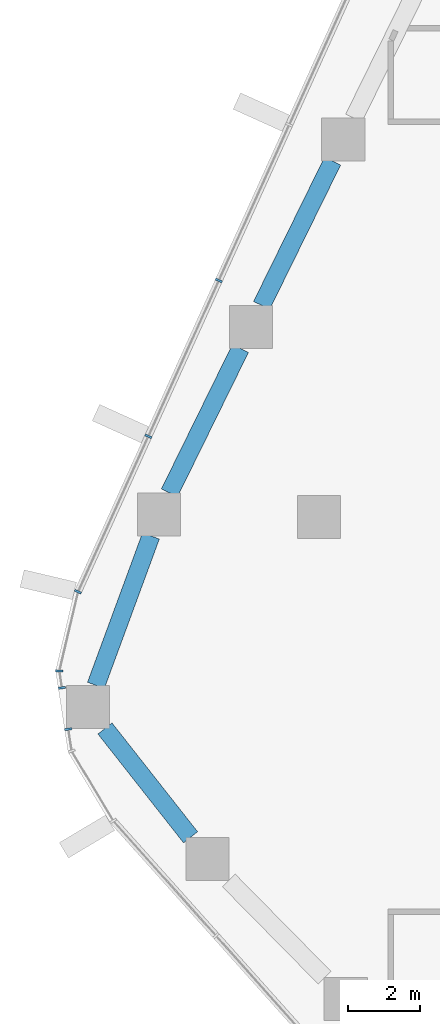
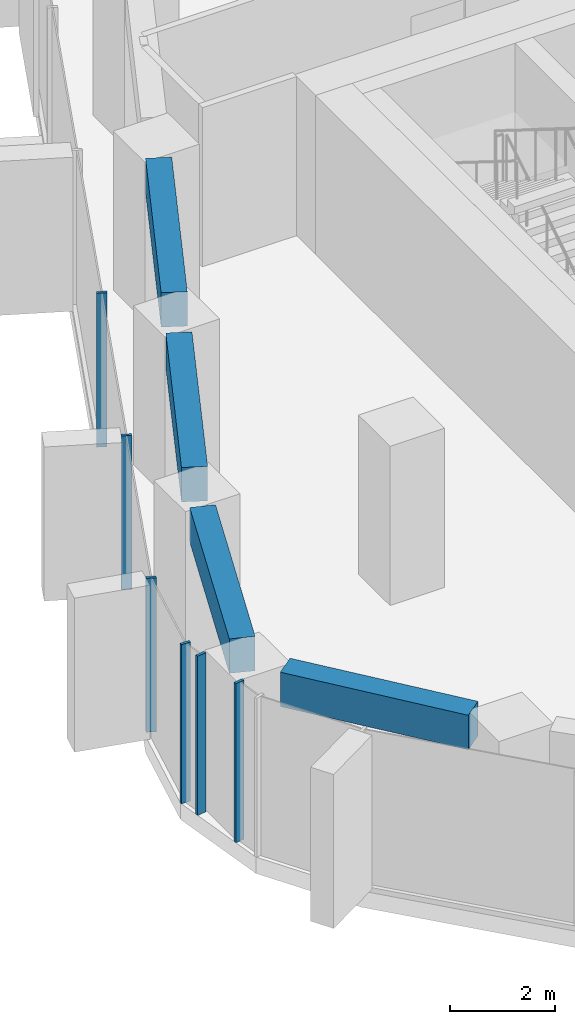
# One storey, part 3 of 17: 6 members, 4 beams, 3 elements without a shape of their own.
"""IFC4 building model written with IfcOpenShell, lengths in metres."""

from ifc_helpers import new_model, si_unit, direction, frame, origin, origin_2d, place, context, subcontext, project, spatial, rectangle, extrude, material, layer, layer_set, material_profile, profile_set, type_object, element, aggregate, save


model = new_model("IFC4")

# Units and contexts
model_context = context("Model", 3, precision=1e-05, world=origin(), true_north=direction((0.0, 1.0)))
body_context = subcontext(model_context, "Body", "Model", "MODEL_VIEW")
ifc_project = project(units=[si_unit("LENGTHUNIT", "METRE"), si_unit("AREAUNIT", "SQUARE_METRE"), si_unit("VOLUMEUNIT", "CUBIC_METRE"), si_unit("PLANEANGLEUNIT", "RADIAN"), si_unit("MASSUNIT", "GRAM", prefix="KILO")], contexts=[model_context])

# Site, building, storey
site_placement = place(None, origin())
site = spatial("IfcSite", under=ifc_project, at=site_placement, CompositionType="ELEMENT")
building_placement = place(site_placement, origin())
building = spatial("IfcBuilding", under=site, at=building_placement, Name="Dongbaek Canopy Tower", CompositionType="ELEMENT")
storey_placement = place(building_placement, frame((0.0, 0.0, 179.60009765625)))
storey = spatial("IfcBuildingStorey", under=building, at=storey_placement, Name="L39", CompositionType="ELEMENT", Elevation=179.60009765625)

# Curtain wall, members
ifc_material_1 = material(Name="Aluminium 6063-T6 pale anodised", Category="aluminium")
ifc_layer = layer(ifc_material_1, 0.199951171875)
ifc_layer_set = layer_set([ifc_layer], Name="CW-1 unitised tower curtain wall")
curtain_wall_type = type_object("IfcCurtainWallType", Name="CW-1 unitised tower curtain wall", PredefinedType="NOTDEFINED", material=ifc_layer_set)
curtain_wall_1_placement = place(storey_placement, origin())
curtain_wall_1 = element("IfcCurtainWall", 1, at=curtain_wall_1_placement, inside=storey, type_object=curtain_wall_type, Name="CW-1 curtain wall F2.1", PredefinedType="NOTDEFINED")
ifc_material_2 = material(Name="Aluminium 6063-T6 pale anodised", Category="aluminium")
ifc_material_profile_1 = material_profile(ifc_material_2, rectangle(XDim=0.199951171875, YDim=0.06005859375, at=origin_2d()), Name="CW-1 mullion 60 x 200")
ifc_profile_set_1 = profile_set([ifc_material_profile_1], Name="Aluminium 6063-T6 pale anodised")
member_type = type_object("IfcMemberType", Name="CW-1 mullion 60 x 200", PredefinedType="MULLION", material=ifc_profile_set_1)
member_1_placement = place(storey_placement, frame((-20.79443359375, 6.580078125, 0.119873046875), z_axis=(0.0, 0.0, 1.0), x_axis=(-0.911147578037, 0.412080199763, 0.0)))
member_1 = element("IfcMember", 2, at=member_1_placement, type_object=member_type, Name="CW-1 mullion F2.1.4", PredefinedType="MULLION", context=body_context, shape_type="SweptSolid", body=[
    extrude(rectangle(XDim=0.199951171875, YDim=0.06005859375, at=origin_2d()), origin(), (0.0, 0.0, 1.0), 3.580078125),
])
member_2_placement = place(storey_placement, frame((-22.75634765625, 2.241943359375, 0.119873046875), z_axis=(0.0, 0.0, 1.0), x_axis=(-0.911147578037, 0.412080199763, 0.0)))
member_2 = element("IfcMember", 3, at=member_2_placement, type_object=member_type, Name="CW-1 mullion F2.1.5", PredefinedType="MULLION", context=body_context, shape_type="SweptSolid", body=[
    extrude(rectangle(XDim=0.199951171875, YDim=0.06005859375, at=origin_2d()), origin(), (0.0, 0.0, 1.0), 3.580078125),
])
member_3_placement = place(storey_placement, frame((-24.714111328125, -2.087158203125, 0.119873046875), z_axis=(0.0, 0.0, 1.0), x_axis=(-0.911147578037, 0.412080199763, 0.0)))
member_3 = element("IfcMember", 4, at=member_3_placement, type_object=member_type, Name="CW-1 mullion F2.1.6", PredefinedType="MULLION", context=body_context, shape_type="SweptSolid", body=[
    extrude(rectangle(XDim=0.199951171875, YDim=0.06005859375, at=origin_2d()), origin(), (0.0, 0.0, 1.0), 3.580078125),
])
aggregate(curtain_wall_1, [member_1, member_2, member_3])

curtain_wall_2_placement = place(storey_placement, origin())
curtain_wall_2 = element("IfcCurtainWall", 5, at=curtain_wall_2_placement, inside=storey, type_object=curtain_wall_type, Name="CW-1 curtain wall K3.1a", PredefinedType="NOTDEFINED")
member_4_placement = place(storey_placement, frame((-25.23583984375, -4.292236328125, 0.0), z_axis=(0.0, 0.0, 1.0), x_axis=(-0.999206410912, 0.039831500001, 0.0)))
member_4 = element("IfcMember", 6, at=member_4_placement, type_object=member_type, Name="CW-1 mullion K3.1a.2", PredefinedType="MULLION", context=body_context, shape_type="SweptSolid", body=[
    extrude(rectangle(XDim=0.199951171875, YDim=0.06005859375, at=origin_2d()), origin(), (0.0, 0.0, 1.0), 3.699951171875),
])
member_5_placement = place(storey_placement, frame((-25.16357421875, -4.762451171875, 0.0), z_axis=(0.0, 0.0, 1.0), x_axis=(-0.988378450695, -0.152013282979, 0.0)))
member_5 = element("IfcMember", 7, at=member_5_placement, type_object=member_type, Name="CW-1 mullion K3.1a.3", PredefinedType="MULLION", context=body_context, shape_type="SweptSolid", body=[
    extrude(rectangle(XDim=0.199951171875, YDim=0.06005859375, at=origin_2d()), origin(), (0.0, 0.0, 1.0), 3.699951171875),
])
aggregate(curtain_wall_2, [member_4, member_5])

# Curtain wall, member
curtain_wall_3_placement = place(storey_placement, origin())
curtain_wall_3 = element("IfcCurtainWall", 8, at=curtain_wall_3_placement, inside=storey, type_object=curtain_wall_type, Name="CW-1 curtain wall K3.1b", PredefinedType="NOTDEFINED")
member_6_placement = place(storey_placement, frame((-24.986328125, -5.913818359375, 0.0), z_axis=(0.0, 0.0, 1.0), x_axis=(-0.988378450695, -0.152013282979, 0.0)))
member_6 = element("IfcMember", 9, at=member_6_placement, type_object=member_type, Name="CW-1 mullion K3.1b.1", PredefinedType="MULLION", context=body_context, shape_type="SweptSolid", body=[
    extrude(rectangle(XDim=0.199951171875, YDim=0.06005859375, at=origin_2d()), origin(), (0.0, 0.0, 1.0), 3.699951171875),
])
aggregate(curtain_wall_3, [member_6])

# Beams
ifc_material_3 = material(Name="Concrete C70", Category="concrete")
ifc_material_profile_2 = material_profile(ifc_material_3, rectangle(XDim=0.5, YDim=0.800048828125, at=origin_2d()), Name="RC EDGE BEAM 500x800 C70")
ifc_profile_set_2 = profile_set([ifc_material_profile_2], Name="Concrete C70")
beam_type = type_object("IfcBeamType", Name="RC EDGE BEAM 500x800 C70", PredefinedType="BEAM", material=ifc_profile_set_2)
beam_1_placement = place(storey_placement, frame((-21.578125, -8.925048828125, 3.2998046875), z_axis=(-0.618344214718, 0.785907394115, 0.0), x_axis=(-0.785907394115, -0.618344214718, 0.0)))
element("IfcBeam", 10, at=beam_1_placement, inside=storey, type_object=beam_type, Name="EDGEBEAM:L39:07", PredefinedType="BEAM", context=body_context, shape_type="SweptSolid", body=[
    extrude(rectangle(XDim=0.5, YDim=0.800048828125, at=origin_2d()), origin(), (0.0, 0.0, 1.0), 3.856689453125),
])
beam_2_placement = place(storey_placement, frame((-24.214111328125, -4.694091796875, 3.2998046875), z_axis=(0.34534810305, 0.938474660137, 0.0), x_axis=(-0.938474660137, 0.34534810305, 0.0)))
element("IfcBeam", 11, at=beam_2_placement, inside=storey, type_object=beam_type, Name="EDGEBEAM:L39:08", PredefinedType="BEAM", context=body_context, shape_type="SweptSolid", body=[
    extrude(rectangle(XDim=0.5, YDim=0.800048828125, at=origin_2d()), origin(), (0.0, 0.0, 1.0), 4.433837890625),
])
beam_3_placement = place(storey_placement, frame((-22.1669921875, 0.6669921875, 3.2998046875), z_axis=(0.441142658474, 0.897436992147, 0.0), x_axis=(-0.897436992147, 0.441142658474, 0.0)))
element("IfcBeam", 12, at=beam_3_placement, inside=storey, type_object=beam_type, Name="EDGEBEAM:L39:09", PredefinedType="BEAM", context=body_context, shape_type="SweptSolid", body=[
    extrude(rectangle(XDim=0.5, YDim=0.800048828125, at=origin_2d()), origin(), (0.0, 0.0, 1.0), 4.4794921875),
])
beam_4_placement = place(storey_placement, frame((-19.6005859375, 5.886962890625, 3.2998046875), z_axis=(0.441534821152, 0.897244114893, 0.0), x_axis=(-0.897244114893, 0.441534821152, 0.0)))
element("IfcBeam", 13, at=beam_4_placement, inside=storey, type_object=beam_type, Name="EDGEBEAM:L39:10", PredefinedType="BEAM", context=body_context, shape_type="SweptSolid", body=[
    extrude(rectangle(XDim=0.5, YDim=0.800048828125, at=origin_2d()), origin(), (0.0, 0.0, 1.0), 4.478271484375),
])

save(model, "model.ifc")
